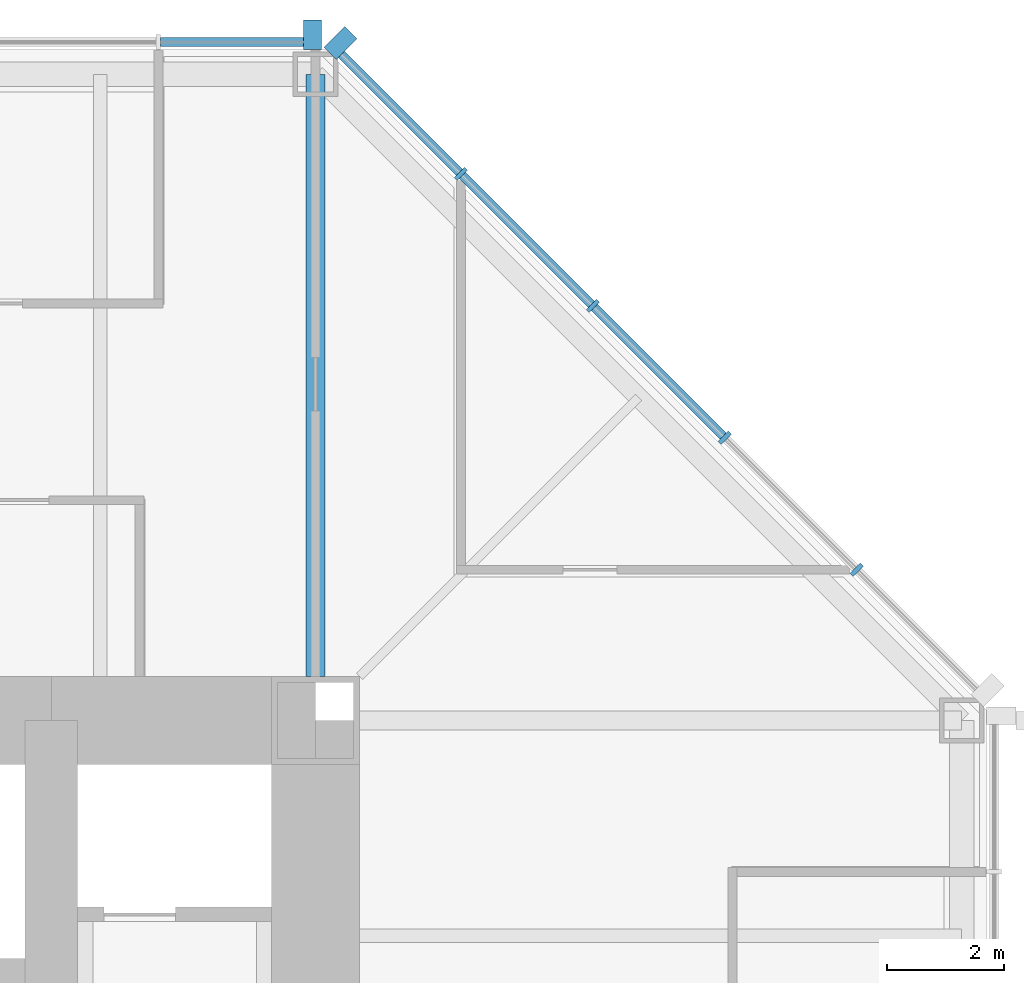
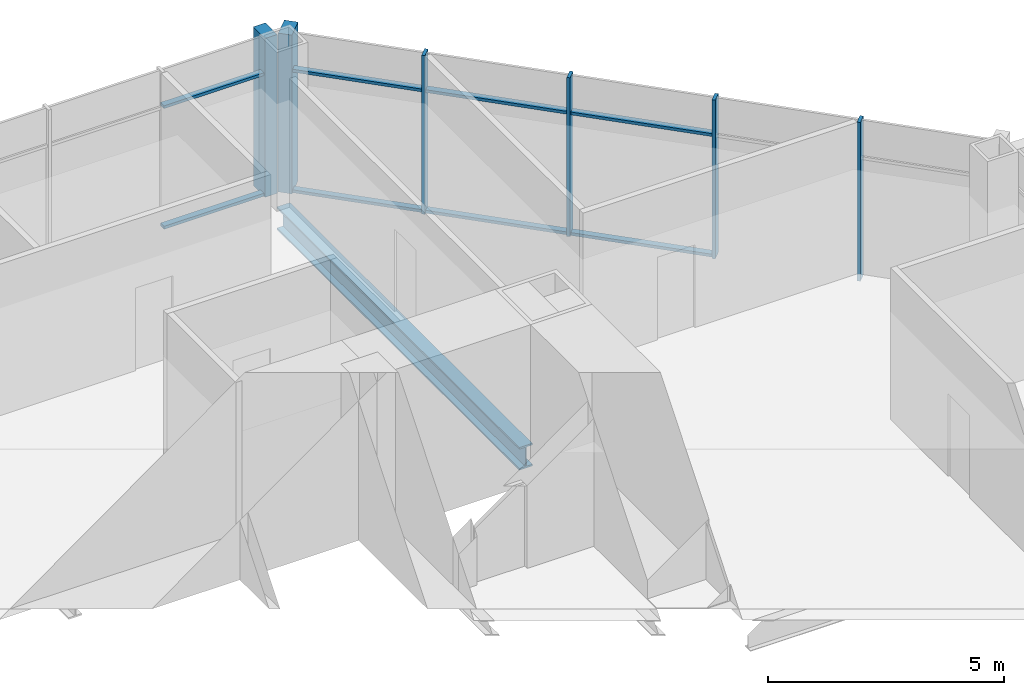
# One storey, part 6 of 12: 14 members, 1 beam, 2 elements without a shape of their own.
"""IFC4 building model written with IfcOpenShell, lengths in metres."""

import ifcopenshell
import ifcopenshell.guid

model = None  # the IFC model being written
_history = None  # IfcOwnerHistory: only IFC2X3 demands one
_inside = {}  # id of a spatial element -> (the spatial element, [elements in it])
_under = {}  # id of a project, library or spatial element -> (it, [spatial elements below it])
_declared = {}  # id of a project -> (the project, [libraries it declares])
_typed = {}  # id of a type object -> (the type object, [elements of that type])
_made_of = {}  # id of a material, layer set ... -> (it, [elements and type objects made of it])


def new_model(schema):
    """Start an empty IFC model of exactly this schema.

    Asked for "IFC4X3", IfcOpenShell would pick the latest addendum, in which some entities
    have other attributes; the version numbers below select the first issue.
    IFC2X3 requires an IfcOwnerHistory on every rooted entity: one is made here for all.
    """
    global model, _history
    if schema == "IFC4X3":
        model = ifcopenshell.file(schema_version=(4, 3, 0, 0))
    else:
        model = ifcopenshell.file(schema=schema)
    _inside.clear()
    _under.clear()
    _declared.clear()
    _typed.clear()
    _made_of.clear()
    _history = None
    if model.schema == "IFC2X3":
        org = make("IfcOrganization", Name="unknown")
        user = make(
            "IfcPersonAndOrganization",
            ThePerson=make("IfcPerson", FamilyName="unknown"),
            TheOrganization=org,
        )
        app = make(
            "IfcApplication",
            ApplicationDeveloper=org,
            Version="unknown",
            ApplicationFullName="unknown",
            ApplicationIdentifier="unknown",
        )
        _history = make(
            "IfcOwnerHistory",
            OwningUser=user,
            OwningApplication=app,
            ChangeAction="ADDED",
            CreationDate=0,
        )
    return model


def make(cls, **values):
    """One entity of the class cls with the attributes given. An attribute that is None is left unset."""
    return model.create_entity(
        cls, **{name: value for name, value in values.items() if value is not None}
    )


def rooted(cls, **values):
    """An entity with a GlobalId (a new one), such as an element, a storey or a relation."""
    return make(cls, GlobalId=ifcopenshell.guid.new(), OwnerHistory=_history, **values)


def si_unit(unit_type, name, prefix=None):
    """IfcSIUnit, for example si_unit("LENGTHUNIT", "METRE", prefix="MILLI")."""
    return make("IfcSIUnit", UnitType=unit_type, Prefix=prefix, Name=name)


def assignment(units):
    """IfcUnitAssignment: the units of a project."""
    return None if units is None else make("IfcUnitAssignment", Units=units)


def point(xyz):
    """IfcCartesianPoint."""
    return None if xyz is None else make("IfcCartesianPoint", Coordinates=xyz)


def direction(xyz):
    """IfcDirection."""
    return None if xyz is None else make("IfcDirection", DirectionRatios=xyz)


def frame(location, z_axis=None, x_axis=None):
    """IfcAxis2Placement3D, a coordinate frame: its origin and axes. An axis left out is left unset."""
    return make(
        "IfcAxis2Placement3D",
        Location=point(location),
        Axis=direction(z_axis),
        RefDirection=direction(x_axis),
    )


def frame_2d(location, x_axis=None):
    """IfcAxis2Placement2D, a coordinate frame in the plane: its origin and x axis."""
    return make(
        "IfcAxis2Placement2D", Location=point(location), RefDirection=direction(x_axis)
    )


def origin():
    """The frame at (0, 0, 0) with its axes left unset."""
    return frame((0.0, 0.0, 0.0))


def origin_2d():
    """The frame at (0, 0) in the plane with its x axis left unset."""
    return frame_2d((0.0, 0.0))


def place(relative_to, where):
    """IfcLocalPlacement: puts the frame where relative to a parent placement (None: the world)."""
    return make(
        "IfcLocalPlacement", PlacementRelTo=relative_to, RelativePlacement=where
    )


def context(
    kind, dimensions, precision=None, world=None, true_north=None, identifier=None
):
    """IfcGeometricRepresentationContext, for example the 3D "Model" context."""
    return make(
        "IfcGeometricRepresentationContext",
        ContextIdentifier=identifier,
        ContextType=kind,
        CoordinateSpaceDimension=dimensions,
        Precision=precision,
        WorldCoordinateSystem=world,
        TrueNorth=true_north,
    )


def subcontext(parent, identifier, kind, view, scale=None):
    """IfcGeometricRepresentationSubContext, for example "Body" below "Model"."""
    return make(
        "IfcGeometricRepresentationSubContext",
        ContextIdentifier=identifier,
        ContextType=kind,
        ParentContext=parent,
        TargetScale=scale,
        TargetView=view,
    )


def project(units=None, contexts=None):
    """IfcProject with its units and contexts."""
    return rooted(
        "IfcProject",
        Name="project",
        RepresentationContexts=contexts,
        UnitsInContext=assignment(units),
    )


def spatial(cls, under=None, at=None, **own):
    """A site, building, storey or space (cls), placed at a placement, below another one or the project."""
    s = rooted(cls, ObjectPlacement=at, **own)
    if under is not None:
        _under.setdefault(under.id(), (under, []))[1].append(s)
    return s


def profile(cls, at=None, kind="AREA", **sizes):
    """A parametric profile (cls). Its sizes go by their IFC names, for example OverallWidth=200.0."""
    return make(cls, ProfileType=kind, Position=at, **sizes)


def rectangle(**sizes):
    """IfcRectangleProfileDef."""
    return profile("IfcRectangleProfileDef", **sizes)


def i_section(**sizes):
    """IfcIShapeProfileDef."""
    return profile("IfcIShapeProfileDef", **sizes)


def extrude(swept, where, along, depth):
    """IfcExtrudedAreaSolid: the profile swept, set in the frame where, extruded along a direction by depth."""
    return make(
        "IfcExtrudedAreaSolid",
        SweptArea=swept,
        Position=where,
        ExtrudedDirection=direction(along),
        Depth=depth,
    )


def shape(context_of_items, identifier, shape_type, items):
    """IfcShapeRepresentation: the items that make up one representation, for example the "Body"."""
    return make(
        "IfcShapeRepresentation",
        ContextOfItems=context_of_items,
        RepresentationIdentifier=identifier,
        RepresentationType=shape_type,
        Items=items,
    )


def material(Name=None, Category=None):
    """IfcMaterial."""
    return make("IfcMaterial", Name=Name, Category=Category)


def material_profile(
    of_material, cross_section, Name=None, Category=None, Priority=None
):
    """IfcMaterialProfile: a cross section and its material."""
    return make(
        "IfcMaterialProfile",
        Name=Name,
        Material=of_material,
        Profile=cross_section,
        Priority=Priority,
        Category=Category,
    )


def profile_set(profiles, Name=None, composite=None):
    """IfcMaterialProfileSet."""
    return make(
        "IfcMaterialProfileSet",
        Name=Name,
        MaterialProfiles=profiles,
        CompositeProfile=composite,
    )


def made_of(thing, what):
    """Note that an element or type object is made of a material, layer set ...; save() writes the relation."""
    if what is not None:
        _made_of.setdefault(what.id(), (what, []))[1].append(thing)
    return thing


def type_object(cls, material=None, **own):
    """A type object (cls), such as IfcWallType, which elements share."""
    return made_of(rooted(cls, **own), material)


def element(
    cls,
    number,
    at=None,
    inside=None,
    cuts=None,
    type_object=None,
    material=None,
    context=None,
    identifier="Body",
    shape_type=None,
    held_by="IfcProductDefinitionShape",
    body=None,
    shapes=None,
    **own,
):
    """One element of the class cls, such as IfcWall. Its Tag is "e" and its number.

    at: its placement. inside: the storey or other place that contains it. cuts: it is an
    opening in that element (IfcRelVoidsElement). A single representation is given by context,
    identifier, shape_type and body (its items); several are given by shapes. held_by: the class
    of the entity that holds the representations. save() writes the other relations.
    """
    e = rooted(cls, Tag="e%d" % number, ObjectPlacement=at, **own)
    if body is not None:
        shapes = [shape(context, identifier, shape_type, body)]
    if shapes is not None:
        e.Representation = make(held_by, Representations=shapes)
    if inside is not None:
        _inside.setdefault(inside.id(), (inside, []))[1].append(e)
    if cuts is not None:
        rooted(
            "IfcRelVoidsElement", RelatingBuildingElement=cuts, RelatedOpeningElement=e
        )
    if type_object is not None:
        _typed.setdefault(type_object.id(), (type_object, []))[1].append(e)
    return made_of(e, material)


def aggregate(whole, parts):
    """IfcRelAggregates: a whole, such as a stair, and the parts it consists of."""
    return rooted("IfcRelAggregates", RelatingObject=whole, RelatedObjects=parts)


def save(model, path):
    """Write the relations noted so far, then the file.

    IfcRelAggregates (storeys below a building ...), IfcRelContainedInSpatialStructure (elements
    in a storey), IfcRelDefinesByType, IfcRelAssociatesMaterial and IfcRelDeclares: one each for
    every whole, place, type object, material and project.
    """
    for whole, parts in _under.values():
        aggregate(whole, parts)
    for where, things in _inside.values():
        rooted(
            "IfcRelContainedInSpatialStructure",
            RelatedElements=things,
            RelatingStructure=where,
        )
    for kind, things in _typed.values():
        rooted("IfcRelDefinesByType", RelatedObjects=things, RelatingType=kind)
    for what, things in _made_of.values():
        rooted("IfcRelAssociatesMaterial", RelatedObjects=things, RelatingMaterial=what)
    for by, libraries in _declared.values():
        rooted("IfcRelDeclares", RelatingContext=by, RelatedDefinitions=libraries)
    model.write(path)


model = new_model("IFC4")

# Units and contexts
model_context = context("Model", 3, precision=1e-05, world=origin(), true_north=direction((0.0, 1.0)))
body_context = subcontext(model_context, "Body", "Model", "MODEL_VIEW")
ifc_project = project(units=[si_unit("LENGTHUNIT", "METRE"), si_unit("AREAUNIT", "SQUARE_METRE"), si_unit("VOLUMEUNIT", "CUBIC_METRE"), si_unit("PLANEANGLEUNIT", "RADIAN"), si_unit("MASSUNIT", "GRAM", prefix="KILO")], contexts=[model_context])

# Site, building, storey
site_placement = place(None, origin())
site = spatial("IfcSite", under=ifc_project, at=site_placement, CompositionType="ELEMENT")
building_placement = place(site_placement, origin())
building = spatial("IfcBuilding", under=site, at=building_placement, Name="Trevanion Tower", CompositionType="ELEMENT")
storey_placement = place(building_placement, frame((0.0, 0.0, 150.0)))
storey = spatial("IfcBuildingStorey", under=building, at=storey_placement, Name="L35", CompositionType="ELEMENT", Elevation=150.0)

# Curtain wall, members
ifc_material_1 = material(Name="Aluminium and glass", Category="aluminium")
curtain_wall_type = type_object("IfcCurtainWallType", Name="CW2 curtain wall", PredefinedType="USERDEFINED", material=ifc_material_1)
curtain_wall_1_placement = place(storey_placement, origin())
curtain_wall_1 = element("IfcCurtainWall", 1, at=curtain_wall_1_placement, inside=storey, type_object=curtain_wall_type, Name="CW2 L35 1", ObjectType="UNITISED CURTAIN WALL", PredefinedType="USERDEFINED")
ifc_material_2 = material(Name="Aluminium extrusion, anodised bronze", Category="aluminium")
ifc_material_profile_1 = material_profile(ifc_material_2, rectangle(XDim=0.074951171875, YDim=0.25, at=origin_2d()), Name="CW2 mullion")
ifc_profile_set_1 = profile_set([ifc_material_profile_1], Name="Aluminium extrusion, anodised bronze")
member_type_1 = type_object("IfcMemberType", Name="CW2 mullion", PredefinedType="MULLION", material=ifc_profile_set_1)
member_1_placement = place(storey_placement, frame((20.2119140625, 13.56591796875, -0.18994140625), z_axis=(0.0, 0.0, 1.0), x_axis=(-0.707106781187, 0.707106781187, 0.0)))
member_1 = element("IfcMember", 2, at=member_1_placement, type_object=member_type_1, Name="CW2 mullion 2", PredefinedType="MULLION", context=body_context, shape_type="SweptSolid", body=[
    extrude(rectangle(XDim=0.074951171875, YDim=0.25, at=origin_2d()), origin(), (0.0, 0.0, 1.0), 4.099853515625),
])
member_2_placement = place(storey_placement, frame((17.966064453125, 15.811767578125, -0.18994140625), z_axis=(0.0, 0.0, 1.0), x_axis=(-0.707106781187, 0.707106781187, 0.0)))
member_2 = element("IfcMember", 3, at=member_2_placement, type_object=member_type_1, Name="CW2 mullion 3", PredefinedType="MULLION", context=body_context, shape_type="SweptSolid", body=[
    extrude(rectangle(XDim=0.074951171875, YDim=0.25, at=origin_2d()), origin(), (0.0, 0.0, 1.0), 4.099853515625),
])
member_3_placement = place(storey_placement, frame((15.719970703125, 18.057861328125, -0.18994140625), z_axis=(0.0, 0.0, 1.0), x_axis=(-0.707106781187, 0.707106781187, 0.0)))
member_3 = element("IfcMember", 4, at=member_3_placement, type_object=member_type_1, Name="CW2 mullion 4", PredefinedType="MULLION", context=body_context, shape_type="SweptSolid", body=[
    extrude(rectangle(XDim=0.074951171875, YDim=0.25, at=origin_2d()), origin(), (0.0, 0.0, 1.0), 4.099853515625),
])
member_4_placement = place(storey_placement, frame((13.473876953125, 20.303955078125, -0.18994140625), z_axis=(0.0, 0.0, 1.0), x_axis=(-0.707106781187, 0.707106781187, 0.0)))
member_4 = element("IfcMember", 5, at=member_4_placement, type_object=member_type_1, Name="CW2 mullion 5", PredefinedType="MULLION", context=body_context, shape_type="SweptSolid", body=[
    extrude(rectangle(XDim=0.074951171875, YDim=0.25, at=origin_2d()), origin(), (0.0, 0.0, 1.0), 4.099853515625),
])
ifc_material_3 = material(Name="Aluminium extrusion, anodised bronze", Category="aluminium")
ifc_material_profile_2 = material_profile(ifc_material_3, rectangle(XDim=0.300048828125, YDim=0.5, at=origin_2d()), Name="CW2 pier mullion")
ifc_profile_set_2 = profile_set([ifc_material_profile_2], Name="Aluminium extrusion, anodised bronze")
member_type_2 = type_object("IfcMemberType", Name="CW2 pier mullion", PredefinedType="MULLION", material=ifc_profile_set_2)
member_5_placement = place(storey_placement, frame((11.42236328125, 22.5322265625, -0.18994140625), z_axis=(0.0, 0.0, 1.0), x_axis=(-0.707106781187, 0.707106781187, 0.0)))
member_5 = element("IfcMember", 6, at=member_5_placement, type_object=member_type_2, Name="CW2 pier mullion 6", PredefinedType="MULLION", context=body_context, shape_type="SweptSolid", body=[
    extrude(rectangle(XDim=0.300048828125, YDim=0.5, at=origin_2d()), origin(), (0.0, 0.0, 1.0), 4.099853515625),
])

# Curtain wall, member
curtain_wall_2_placement = place(storey_placement, origin())
curtain_wall_2 = element("IfcCurtainWall", 7, at=curtain_wall_2_placement, inside=storey, type_object=curtain_wall_type, Name="CW2 L35 2", ObjectType="UNITISED CURTAIN WALL", PredefinedType="USERDEFINED")
member_6_placement = place(storey_placement, frame((10.94775390625, 22.675048828125, -0.18994140625), z_axis=(0.0, 0.0, 1.0), x_axis=(-1.0, 0.0, 0.0)))
member_6 = element("IfcMember", 8, at=member_6_placement, type_object=member_type_2, Name="CW2 pier mullion 1", PredefinedType="MULLION", context=body_context, shape_type="SweptSolid", body=[
    extrude(rectangle(XDim=0.300048828125, YDim=0.5, at=origin_2d()), origin(), (0.0, 0.0, 1.0), 4.099853515625),
])

# Member
ifc_material_4 = material(Name="Aluminium extrusion, anodised bronze", Category="aluminium")
ifc_material_profile_3 = material_profile(ifc_material_4, rectangle(XDim=0.14990234375, YDim=0.074951171875, at=origin_2d()), Name="CW2 transom")
ifc_profile_set_3 = profile_set([ifc_material_profile_3], Name="Aluminium extrusion, anodised bronze")
member_type_3 = type_object("IfcMemberType", Name="CW2 transom", PredefinedType="USERDEFINED", material=ifc_profile_set_3)
member_7_placement = place(storey_placement, frame((17.939453125, 15.83837890625, -0.152587890625), z_axis=(-0.707106781187, 0.707106781187, 0.0), x_axis=(-0.707106781187, -0.707106781187, 0.0)))
member_7 = element("IfcMember", 9, at=member_7_placement, type_object=member_type_3, Name="CW2 transom 3.1", ObjectType="TRANSOM", PredefinedType="USERDEFINED", context=body_context, shape_type="SweptSolid", body=[
    extrude(rectangle(XDim=0.14990234375, YDim=0.074951171875, at=origin_2d()), origin(), (0.0, 0.0, 1.0), 3.1015625),
])

member_8_placement = place(storey_placement, frame((17.939453125, 15.83837890625, 2.9599609375), z_axis=(-0.707106781187, 0.707106781187, 0.0), x_axis=(-0.707106781187, -0.707106781187, 0.0)))
member_8 = element("IfcMember", 10, at=member_8_placement, type_object=member_type_3, Name="CW2 transom 3.2", ObjectType="TRANSOM", PredefinedType="USERDEFINED", context=body_context, shape_type="SweptSolid", body=[
    extrude(rectangle(XDim=0.14990234375, YDim=0.074951171875, at=origin_2d()), origin(), (0.0, 0.0, 1.0), 3.1015625),
])

member_9_placement = place(storey_placement, frame((15.693359375, 18.08447265625, -0.152587890625), z_axis=(-0.707106781187, 0.707106781187, 0.0), x_axis=(-0.707106781187, -0.707106781187, 0.0)))
member_9 = element("IfcMember", 11, at=member_9_placement, type_object=member_type_3, Name="CW2 transom 4.1", ObjectType="TRANSOM", PredefinedType="USERDEFINED", context=body_context, shape_type="SweptSolid", body=[
    extrude(rectangle(XDim=0.14990234375, YDim=0.074951171875, at=origin_2d()), origin(), (0.0, 0.0, 1.0), 3.10107421875),
])

member_10_placement = place(storey_placement, frame((15.693359375, 18.08447265625, 2.9599609375), z_axis=(-0.707106781187, 0.707106781187, 0.0), x_axis=(-0.707106781187, -0.707106781187, 0.0)))
member_10 = element("IfcMember", 12, at=member_10_placement, type_object=member_type_3, Name="CW2 transom 4.2", ObjectType="TRANSOM", PredefinedType="USERDEFINED", context=body_context, shape_type="SweptSolid", body=[
    extrude(rectangle(XDim=0.14990234375, YDim=0.074951171875, at=origin_2d()), origin(), (0.0, 0.0, 1.0), 3.10107421875),
])

member_11_placement = place(storey_placement, frame((13.447509765625, 20.33056640625, -0.152587890625), z_axis=(-0.707149778163, 0.707063781595, 0.0), x_axis=(-0.707063781595, -0.707149778163, 0.0)))
member_11 = element("IfcMember", 13, at=member_11_placement, type_object=member_type_3, Name="CW2 transom 5.1", ObjectType="TRANSOM", PredefinedType="USERDEFINED", context=body_context, shape_type="SweptSolid", body=[
    extrude(rectangle(XDim=0.14990234375, YDim=0.074951171875, at=origin_2d()), origin(), (0.0, 0.0, 1.0), 2.8388671875),
])

member_12_placement = place(storey_placement, frame((13.447509765625, 20.33056640625, 2.9599609375), z_axis=(-0.707149778163, 0.707063781595, 0.0), x_axis=(-0.707063781595, -0.707149778163, 0.0)))
member_12 = element("IfcMember", 14, at=member_12_placement, type_object=member_type_3, Name="CW2 transom 5.2", ObjectType="TRANSOM", PredefinedType="USERDEFINED", context=body_context, shape_type="SweptSolid", body=[
    extrude(rectangle(XDim=0.14990234375, YDim=0.074951171875, at=origin_2d()), origin(), (0.0, 0.0, 1.0), 2.8388671875),
])

aggregate(curtain_wall_1, [member_1, member_2, member_3, member_4, member_5, member_7, member_8, member_9, member_10, member_11, member_12])

member_13_placement = place(storey_placement, frame((10.7978515625, 22.550048828125, -0.152587890625), z_axis=(-1.0, 0.0, 0.0), x_axis=(0.0, -1.0, 0.0)))
member_13 = element("IfcMember", 15, at=member_13_placement, type_object=member_type_3, Name="CW2 transom 1.1", ObjectType="TRANSOM", PredefinedType="USERDEFINED", context=body_context, shape_type="SweptSolid", body=[
    extrude(rectangle(XDim=0.14990234375, YDim=0.074951171875, at=origin_2d()), origin(), (0.0, 0.0, 1.0), 2.43701171875),
])

member_14_placement = place(storey_placement, frame((10.7978515625, 22.550048828125, 2.9599609375), z_axis=(-1.0, 0.0, 0.0), x_axis=(0.0, -1.0, 0.0)))
member_14 = element("IfcMember", 16, at=member_14_placement, type_object=member_type_3, Name="CW2 transom 1.2", ObjectType="TRANSOM", PredefinedType="USERDEFINED", context=body_context, shape_type="SweptSolid", body=[
    extrude(rectangle(XDim=0.14990234375, YDim=0.074951171875, at=origin_2d()), origin(), (0.0, 0.0, 1.0), 2.43701171875),
])

aggregate(curtain_wall_2, [member_6, member_13, member_14])

# Beam
ifc_material_5 = material(Name="Steel ASTM A992 Grade 50", Category="steel")
ifc_material_profile_4 = material_profile(ifc_material_5, i_section(OverallWidth=0.320068359375, OverallDepth=0.584228515625, WebThickness=0.023193359375, FlangeThickness=0.04150390625, at=origin_2d()), Name="W21X201")
ifc_profile_set_4 = profile_set([ifc_material_profile_4], Name="Steel ASTM A992 Grade 50")
beam_type = type_object("IfcBeamType", Name="G4 W21X201", PredefinedType="BEAM", material=ifc_profile_set_4)
beam_placement = place(storey_placement, frame((11.0, 11.75, -0.482177734375), z_axis=(0.0, 1.0, 0.0), x_axis=(-1.0, 0.0, 0.0)))
element("IfcBeam", 17, at=beam_placement, inside=storey, type_object=beam_type, Name="G4 L35", PredefinedType="BEAM", context=body_context, shape_type="SweptSolid", body=[
    extrude(i_section(OverallWidth=0.320068359375, OverallDepth=0.584228515625, WebThickness=0.023193359375, FlangeThickness=0.04150390625, at=origin_2d()), origin(), (0.0, 0.0, 1.0), 10.25),
])

save(model, "model.ifc")
